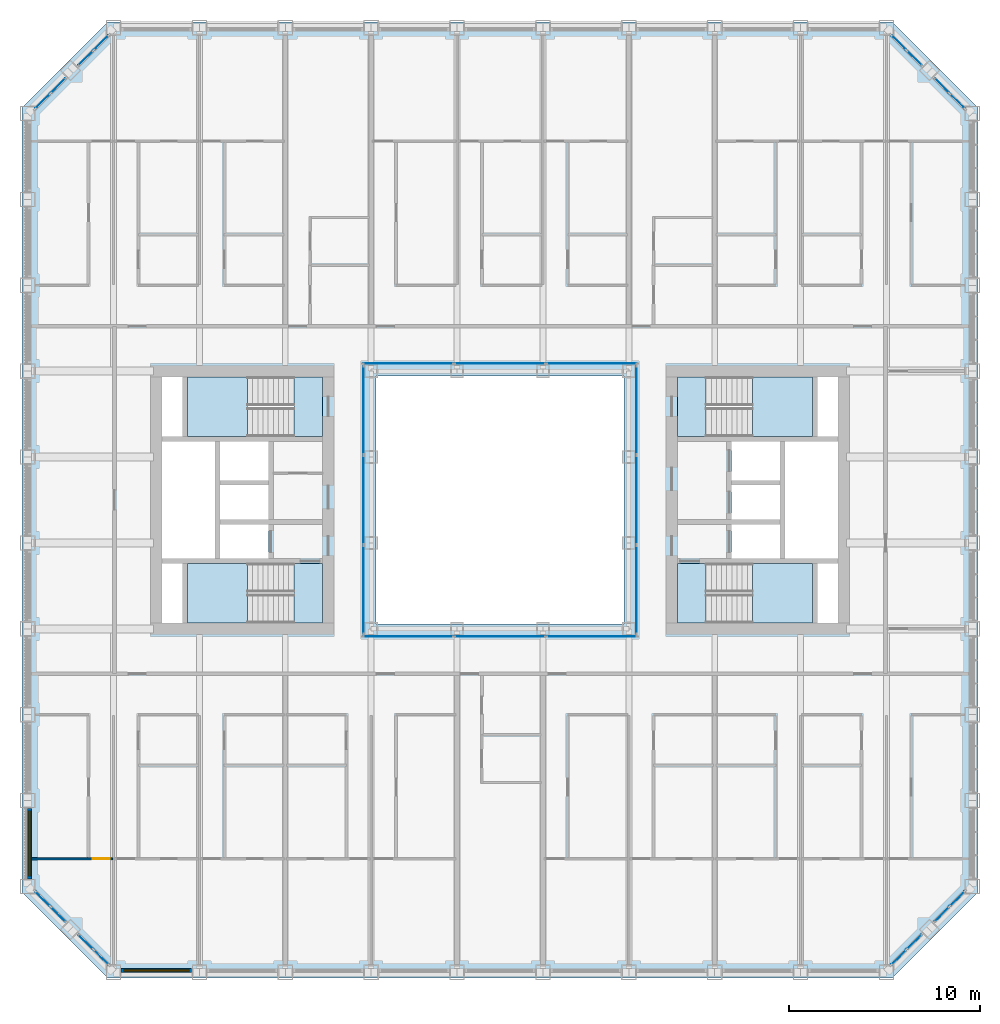
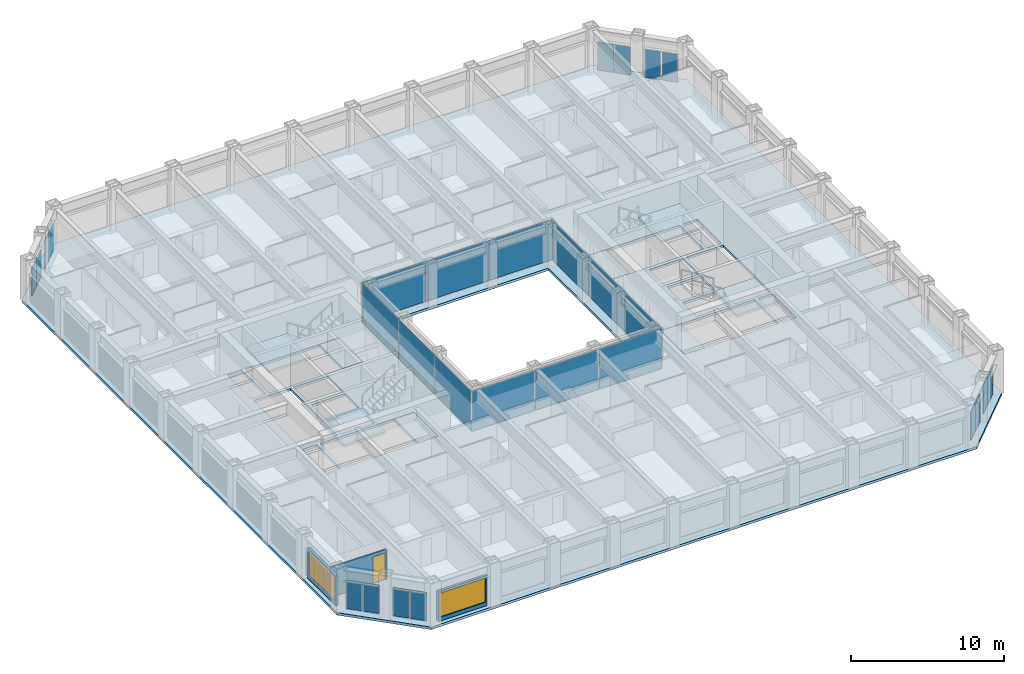
# One storey, part 8 of 20: 28 plates, 9 slabs, 3 walls, 2 windows, 1 door, 3 openings, 16 elements without a shape of their own.
"""IFC4 building model written with IfcOpenShell, lengths in metres."""

from ifc_helpers import new_model, si_unit, direction, frame, frame_2d, origin, origin_2d, place, context, subcontext, project, spatial, polyline, rectangle, outline, extrude, material, layer, layer_set, type_object, element, fill, aggregate, save


model = new_model("IFC4")

# Units and contexts
model_context = context("Model", 3, precision=1e-05, world=origin(), true_north=direction((0.0, 1.0)))
body_context = subcontext(model_context, "Body", "Model", "MODEL_VIEW")
ifc_project = project(units=[si_unit("LENGTHUNIT", "METRE"), si_unit("AREAUNIT", "SQUARE_METRE"), si_unit("VOLUMEUNIT", "CUBIC_METRE"), si_unit("PLANEANGLEUNIT", "RADIAN"), si_unit("MASSUNIT", "GRAM", prefix="KILO")], contexts=[model_context])

# Site, building, storey
site_placement = place(None, origin())
site = spatial("IfcSite", under=ifc_project, at=site_placement, CompositionType="ELEMENT")
building_placement = place(site_placement, origin())
building = spatial("IfcBuilding", under=site, at=building_placement, Name="Msasa Ring Tower", CompositionType="ELEMENT")
storey_placement = place(building_placement, frame((0.0, 0.0, 61.5)))
storey = spatial("IfcBuildingStorey", under=building, at=storey_placement, Name="L15", CompositionType="ELEMENT", Elevation=61.5)

# Curtain wall, plates
ifc_material_1 = material(Name="Aluminium curtain wall with clear glass", Category="aluminium")
curtain_wall_type_1 = type_object("IfcCurtainWallType", Name="CW-C CHAMFER CORNER CURTAIN WALL", PredefinedType="NOTDEFINED", material=ifc_material_1)
curtain_wall_1_placement = place(storey_placement, origin())
curtain_wall_1 = element("IfcCurtainWall", 1, at=curtain_wall_1_placement, inside=storey, type_object=curtain_wall_type_1, Name="Chamfer corner curtain wall SE L15", PredefinedType="NOTDEFINED")
ifc_material_2 = material(Name="Clear laminated insulating glass unit", Category="glass")
ifc_layer_1 = layer(ifc_material_2, 0.031982421875)
ifc_layer_set_1 = layer_set([ifc_layer_1], Name="CW-C GLASS PANEL 32")
plate_type_1 = type_object("IfcPlateType", Name="CW-C GLASS PANEL 32", PredefinedType="CURTAIN_PANEL", material=ifc_layer_set_1)
plate_1_placement = place(storey_placement, frame((20.896484375, -23.962158203125, 0.06494140625), z_axis=(0.0, 0.0, 1.0), x_axis=(0.707106781187, 0.707106781187, 0.0)))
plate_1 = element("IfcPlate", 2, at=plate_1_placement, type_object=plate_type_1, Name="CW-C panel 1.1", PredefinedType="CURTAIN_PANEL", context=body_context, shape_type="SweptSolid", body=[
    extrude(rectangle(XDim=1.08837890625, YDim=0.031982421875, at=origin_2d()), origin(), (0.0, 0.0, 1.0), 2.2490234375),
])
plate_2_placement = place(storey_placement, frame((21.712158203125, -23.146484375, 0.06494140625), z_axis=(0.0, 0.0, 1.0), x_axis=(0.707106781187, 0.707106781187, 0.0)))
plate_2 = element("IfcPlate", 3, at=plate_2_placement, type_object=plate_type_1, Name="CW-C panel 2.1", PredefinedType="CURTAIN_PANEL", context=body_context, shape_type="SweptSolid", body=[
    extrude(rectangle(XDim=1.08837890625, YDim=0.031982421875, at=origin_2d()), origin(), (0.0, 0.0, 1.0), 2.2490234375),
])
aggregate(curtain_wall_1, [plate_1, plate_2])

curtain_wall_2_placement = place(storey_placement, origin())
curtain_wall_2 = element("IfcCurtainWall", 4, at=curtain_wall_2_placement, inside=storey, type_object=curtain_wall_type_1, Name="Chamfer corner curtain wall SE L15", PredefinedType="NOTDEFINED")
plate_3_placement = place(storey_placement, frame((23.146484375, -21.712158203125, 0.06494140625), z_axis=(0.0, 0.0, 1.0), x_axis=(0.707106781187, 0.707106781187, 0.0)))
plate_3 = element("IfcPlate", 5, at=plate_3_placement, type_object=plate_type_1, Name="CW-C panel 1.1", PredefinedType="CURTAIN_PANEL", context=body_context, shape_type="SweptSolid", body=[
    extrude(rectangle(XDim=1.08837890625, YDim=0.031982421875, at=origin_2d()), origin(), (0.0, 0.0, 1.0), 2.2490234375),
])
plate_4_placement = place(storey_placement, frame((23.962158203125, -20.896484375, 0.06494140625), z_axis=(0.0, 0.0, 1.0), x_axis=(0.707106781187, 0.707106781187, 0.0)))
plate_4 = element("IfcPlate", 6, at=plate_4_placement, type_object=plate_type_1, Name="CW-C panel 2.1", PredefinedType="CURTAIN_PANEL", context=body_context, shape_type="SweptSolid", body=[
    extrude(rectangle(XDim=1.08837890625, YDim=0.031982421875, at=origin_2d()), origin(), (0.0, 0.0, 1.0), 2.2490234375),
])
aggregate(curtain_wall_2, [plate_3, plate_4])

curtain_wall_3_placement = place(storey_placement, origin())
curtain_wall_3 = element("IfcCurtainWall", 7, at=curtain_wall_3_placement, inside=storey, type_object=curtain_wall_type_1, Name="Chamfer corner curtain wall NE L15", PredefinedType="NOTDEFINED")
plate_5_placement = place(storey_placement, frame((21.712158203125, 23.146484375, 0.06494140625), z_axis=(0.0, 0.0, 1.0), x_axis=(-0.707106781187, 0.707106781187, 0.0)))
plate_5 = element("IfcPlate", 8, at=plate_5_placement, type_object=plate_type_1, Name="CW-C panel 1.1", PredefinedType="CURTAIN_PANEL", context=body_context, shape_type="SweptSolid", body=[
    extrude(rectangle(XDim=1.08837890625, YDim=0.031982421875, at=origin_2d()), origin(), (0.0, 0.0, 1.0), 2.2490234375),
])
plate_6_placement = place(storey_placement, frame((20.896484375, 23.962158203125, 0.06494140625), z_axis=(0.0, 0.0, 1.0), x_axis=(-0.707106781187, 0.707106781187, 0.0)))
plate_6 = element("IfcPlate", 9, at=plate_6_placement, type_object=plate_type_1, Name="CW-C panel 2.1", PredefinedType="CURTAIN_PANEL", context=body_context, shape_type="SweptSolid", body=[
    extrude(rectangle(XDim=1.08837890625, YDim=0.031982421875, at=origin_2d()), origin(), (0.0, 0.0, 1.0), 2.2490234375),
])
aggregate(curtain_wall_3, [plate_5, plate_6])

curtain_wall_4_placement = place(storey_placement, origin())
curtain_wall_4 = element("IfcCurtainWall", 10, at=curtain_wall_4_placement, inside=storey, type_object=curtain_wall_type_1, Name="Chamfer corner curtain wall NE L15", PredefinedType="NOTDEFINED")
plate_7_placement = place(storey_placement, frame((23.962158203125, 20.896484375, 0.06494140625), z_axis=(0.0, 0.0, 1.0), x_axis=(-0.707106781187, 0.707106781187, 0.0)))
plate_7 = element("IfcPlate", 11, at=plate_7_placement, type_object=plate_type_1, Name="CW-C panel 1.1", PredefinedType="CURTAIN_PANEL", context=body_context, shape_type="SweptSolid", body=[
    extrude(rectangle(XDim=1.08837890625, YDim=0.031982421875, at=origin_2d()), origin(), (0.0, 0.0, 1.0), 2.2490234375),
])
plate_8_placement = place(storey_placement, frame((23.146484375, 21.712158203125, 0.06494140625), z_axis=(0.0, 0.0, 1.0), x_axis=(-0.707106781187, 0.707106781187, 0.0)))
plate_8 = element("IfcPlate", 12, at=plate_8_placement, type_object=plate_type_1, Name="CW-C panel 2.1", PredefinedType="CURTAIN_PANEL", context=body_context, shape_type="SweptSolid", body=[
    extrude(rectangle(XDim=1.08837890625, YDim=0.031982421875, at=origin_2d()), origin(), (0.0, 0.0, 1.0), 2.2490234375),
])
aggregate(curtain_wall_4, [plate_7, plate_8])

curtain_wall_5_placement = place(storey_placement, origin())
curtain_wall_5 = element("IfcCurtainWall", 13, at=curtain_wall_5_placement, inside=storey, type_object=curtain_wall_type_1, Name="Chamfer corner curtain wall NW L15", PredefinedType="NOTDEFINED")
plate_9_placement = place(storey_placement, frame((-23.146484375, 21.712158203125, 0.06494140625), z_axis=(0.0, 0.0, 1.0), x_axis=(-0.707106781187, -0.707106781187, 0.0)))
plate_9 = element("IfcPlate", 14, at=plate_9_placement, type_object=plate_type_1, Name="CW-C panel 1.1", PredefinedType="CURTAIN_PANEL", context=body_context, shape_type="SweptSolid", body=[
    extrude(rectangle(XDim=1.08837890625, YDim=0.031982421875, at=origin_2d()), origin(), (0.0, 0.0, 1.0), 2.2490234375),
])
plate_10_placement = place(storey_placement, frame((-23.962158203125, 20.896484375, 0.06494140625), z_axis=(0.0, 0.0, 1.0), x_axis=(-0.707106781187, -0.707106781187, 0.0)))
plate_10 = element("IfcPlate", 15, at=plate_10_placement, type_object=plate_type_1, Name="CW-C panel 2.1", PredefinedType="CURTAIN_PANEL", context=body_context, shape_type="SweptSolid", body=[
    extrude(rectangle(XDim=1.08837890625, YDim=0.031982421875, at=origin_2d()), origin(), (0.0, 0.0, 1.0), 2.2490234375),
])
aggregate(curtain_wall_5, [plate_9, plate_10])

curtain_wall_6_placement = place(storey_placement, origin())
curtain_wall_6 = element("IfcCurtainWall", 16, at=curtain_wall_6_placement, inside=storey, type_object=curtain_wall_type_1, Name="Chamfer corner curtain wall NW L15", PredefinedType="NOTDEFINED")
plate_11_placement = place(storey_placement, frame((-20.896484375, 23.962158203125, 0.06494140625), z_axis=(0.0, 0.0, 1.0), x_axis=(-0.707106781187, -0.707106781187, 0.0)))
plate_11 = element("IfcPlate", 17, at=plate_11_placement, type_object=plate_type_1, Name="CW-C panel 1.1", PredefinedType="CURTAIN_PANEL", context=body_context, shape_type="SweptSolid", body=[
    extrude(rectangle(XDim=1.08837890625, YDim=0.031982421875, at=origin_2d()), origin(), (0.0, 0.0, 1.0), 2.2490234375),
])
plate_12_placement = place(storey_placement, frame((-21.712158203125, 23.146484375, 0.06494140625), z_axis=(0.0, 0.0, 1.0), x_axis=(-0.707106781187, -0.707106781187, 0.0)))
plate_12 = element("IfcPlate", 18, at=plate_12_placement, type_object=plate_type_1, Name="CW-C panel 2.1", PredefinedType="CURTAIN_PANEL", context=body_context, shape_type="SweptSolid", body=[
    extrude(rectangle(XDim=1.08837890625, YDim=0.031982421875, at=origin_2d()), origin(), (0.0, 0.0, 1.0), 2.2490234375),
])
aggregate(curtain_wall_6, [plate_11, plate_12])

curtain_wall_7_placement = place(storey_placement, origin())
curtain_wall_7 = element("IfcCurtainWall", 19, at=curtain_wall_7_placement, inside=storey, type_object=curtain_wall_type_1, Name="Chamfer corner curtain wall SW L15", PredefinedType="NOTDEFINED")
plate_13_placement = place(storey_placement, frame((-23.962158203125, -20.896484375, 0.06494140625), z_axis=(0.0, 0.0, 1.0), x_axis=(0.707106781187, -0.707106781187, 0.0)))
plate_13 = element("IfcPlate", 20, at=plate_13_placement, type_object=plate_type_1, Name="CW-C panel 1.1", PredefinedType="CURTAIN_PANEL", context=body_context, shape_type="SweptSolid", body=[
    extrude(rectangle(XDim=1.08837890625, YDim=0.031982421875, at=origin_2d()), origin(), (0.0, 0.0, 1.0), 2.2490234375),
])
plate_14_placement = place(storey_placement, frame((-23.146484375, -21.712158203125, 0.06494140625), z_axis=(0.0, 0.0, 1.0), x_axis=(0.707106781187, -0.707106781187, 0.0)))
plate_14 = element("IfcPlate", 21, at=plate_14_placement, type_object=plate_type_1, Name="CW-C panel 2.1", PredefinedType="CURTAIN_PANEL", context=body_context, shape_type="SweptSolid", body=[
    extrude(rectangle(XDim=1.08837890625, YDim=0.031982421875, at=origin_2d()), origin(), (0.0, 0.0, 1.0), 2.2490234375),
])
aggregate(curtain_wall_7, [plate_13, plate_14])

curtain_wall_8_placement = place(storey_placement, origin())
curtain_wall_8 = element("IfcCurtainWall", 22, at=curtain_wall_8_placement, inside=storey, type_object=curtain_wall_type_1, Name="Chamfer corner curtain wall SW L15", PredefinedType="NOTDEFINED")
plate_15_placement = place(storey_placement, frame((-21.712158203125, -23.146484375, 0.06494140625), z_axis=(0.0, 0.0, 1.0), x_axis=(0.707106781187, -0.707106781187, 0.0)))
plate_15 = element("IfcPlate", 23, at=plate_15_placement, type_object=plate_type_1, Name="CW-C panel 1.1", PredefinedType="CURTAIN_PANEL", context=body_context, shape_type="SweptSolid", body=[
    extrude(rectangle(XDim=1.08837890625, YDim=0.031982421875, at=origin_2d()), origin(), (0.0, 0.0, 1.0), 2.2490234375),
])
plate_16_placement = place(storey_placement, frame((-20.896484375, -23.962158203125, 0.06494140625), z_axis=(0.0, 0.0, 1.0), x_axis=(0.707106781187, -0.707106781187, 0.0)))
plate_16 = element("IfcPlate", 24, at=plate_16_placement, type_object=plate_type_1, Name="CW-C panel 2.1", PredefinedType="CURTAIN_PANEL", context=body_context, shape_type="SweptSolid", body=[
    extrude(rectangle(XDim=1.08837890625, YDim=0.031982421875, at=origin_2d()), origin(), (0.0, 0.0, 1.0), 2.2490234375),
])
aggregate(curtain_wall_8, [plate_15, plate_16])

ifc_material_3 = material(Name="Aluminium curtain wall with clear glass", Category="aluminium")
curtain_wall_type_2 = type_object("IfcCurtainWallType", Name="CW-W LIGHT WELL CURTAIN WALL", PredefinedType="NOTDEFINED", material=ifc_material_3)
curtain_wall_9_placement = place(storey_placement, origin())
curtain_wall_9 = element("IfcCurtainWall", 25, at=curtain_wall_9_placement, inside=storey, type_object=curtain_wall_type_2, Name="Light well curtain wall N L15", PredefinedType="NOTDEFINED")
ifc_material_4 = material(Name="Clear laminated insulating glass unit", Category="glass")
ifc_layer_2 = layer(ifc_material_4, 0.028076171875)
ifc_layer_set_2 = layer_set([ifc_layer_2], Name="CW-W GLASS PANEL 28")
plate_type_2 = type_object("IfcPlateType", Name="CW-W GLASS PANEL 28", PredefinedType="CURTAIN_PANEL", material=ifc_layer_set_2)
plate_17_placement = place(storey_placement, frame((-4.804931640625, 7.14990234375, 0.06005859375), z_axis=(0.0, 0.0, 1.0), x_axis=(1.0, 0.0, 0.0)))
plate_17 = element("IfcPlate", 26, at=plate_17_placement, type_object=plate_type_2, Name="CW-W panel 1.1", PredefinedType="CURTAIN_PANEL", context=body_context, shape_type="SweptSolid", body=[
    extrude(rectangle(XDim=4.72998046875, YDim=0.028076171875, at=origin_2d()), origin(), (0.0, 0.0, 1.0), 3.179931640625),
])
plate_18_placement = place(storey_placement, frame((0.0, 7.14990234375, 0.06005859375), z_axis=(0.0, 0.0, 1.0), x_axis=(1.0, 0.0, 0.0)))
plate_18 = element("IfcPlate", 27, at=plate_18_placement, type_object=plate_type_2, Name="CW-W panel 2.1", PredefinedType="CURTAIN_PANEL", context=body_context, shape_type="SweptSolid", body=[
    extrude(rectangle(XDim=4.760009765625, YDim=0.028076171875, at=origin_2d()), origin(), (0.0, 0.0, 1.0), 3.179931640625),
])
plate_19_placement = place(storey_placement, frame((4.804931640625, 7.14990234375, 0.06005859375), z_axis=(0.0, 0.0, 1.0), x_axis=(1.0, 0.0, 0.0)))
plate_19 = element("IfcPlate", 28, at=plate_19_placement, type_object=plate_type_2, Name="CW-W panel 3.1", PredefinedType="CURTAIN_PANEL", context=body_context, shape_type="SweptSolid", body=[
    extrude(rectangle(XDim=4.72998046875, YDim=0.028076171875, at=origin_2d()), origin(), (0.0, 0.0, 1.0), 3.179931640625),
])
aggregate(curtain_wall_9, [plate_17, plate_18, plate_19])

curtain_wall_10_placement = place(storey_placement, origin())
curtain_wall_10 = element("IfcCurtainWall", 29, at=curtain_wall_10_placement, inside=storey, type_object=curtain_wall_type_2, Name="Light well curtain wall S L15", PredefinedType="NOTDEFINED")
plate_20_placement = place(storey_placement, frame((-4.804931640625, -7.14990234375, 0.06005859375), z_axis=(0.0, 0.0, 1.0), x_axis=(1.0, 0.0, 0.0)))
plate_20 = element("IfcPlate", 30, at=plate_20_placement, type_object=plate_type_2, Name="CW-W panel 1.1", PredefinedType="CURTAIN_PANEL", context=body_context, shape_type="SweptSolid", body=[
    extrude(rectangle(XDim=4.72998046875, YDim=0.028076171875, at=origin_2d()), origin(), (0.0, 0.0, 1.0), 3.179931640625),
])
plate_21_placement = place(storey_placement, frame((0.0, -7.14990234375, 0.06005859375), z_axis=(0.0, 0.0, 1.0), x_axis=(1.0, 0.0, 0.0)))
plate_21 = element("IfcPlate", 31, at=plate_21_placement, type_object=plate_type_2, Name="CW-W panel 2.1", PredefinedType="CURTAIN_PANEL", context=body_context, shape_type="SweptSolid", body=[
    extrude(rectangle(XDim=4.760009765625, YDim=0.028076171875, at=origin_2d()), origin(), (0.0, 0.0, 1.0), 3.179931640625),
])
plate_22_placement = place(storey_placement, frame((4.804931640625, -7.14990234375, 0.06005859375), z_axis=(0.0, 0.0, 1.0), x_axis=(1.0, 0.0, 0.0)))
plate_22 = element("IfcPlate", 32, at=plate_22_placement, type_object=plate_type_2, Name="CW-W panel 3.1", PredefinedType="CURTAIN_PANEL", context=body_context, shape_type="SweptSolid", body=[
    extrude(rectangle(XDim=4.72998046875, YDim=0.028076171875, at=origin_2d()), origin(), (0.0, 0.0, 1.0), 3.179931640625),
])
aggregate(curtain_wall_10, [plate_20, plate_21, plate_22])

curtain_wall_11_placement = place(storey_placement, origin())
curtain_wall_11 = element("IfcCurtainWall", 33, at=curtain_wall_11_placement, inside=storey, type_object=curtain_wall_type_2, Name="Light well curtain wall E L15", PredefinedType="NOTDEFINED")
plate_23_placement = place(storey_placement, frame((7.14990234375, -4.6982421875, 0.06005859375), z_axis=(0.0, 0.0, 1.0), x_axis=(0.0, 1.0, 0.0)))
plate_23 = element("IfcPlate", 34, at=plate_23_placement, type_object=plate_type_2, Name="CW-W panel 1.1", PredefinedType="CURTAIN_PANEL", context=body_context, shape_type="SweptSolid", body=[
    extrude(rectangle(XDim=4.623291015625, YDim=0.028076171875, at=origin_2d()), origin(), (0.0, 0.0, 1.0), 3.179931640625),
])
plate_24_placement = place(storey_placement, frame((7.14990234375, 0.0, 0.06005859375), z_axis=(0.0, 0.0, 1.0), x_axis=(0.0, 1.0, 0.0)))
plate_24 = element("IfcPlate", 35, at=plate_24_placement, type_object=plate_type_2, Name="CW-W panel 2.1", PredefinedType="CURTAIN_PANEL", context=body_context, shape_type="SweptSolid", body=[
    extrude(rectangle(XDim=4.6533203125, YDim=0.028076171875, at=origin_2d()), origin(), (0.0, 0.0, 1.0), 3.179931640625),
])
plate_25_placement = place(storey_placement, frame((7.14990234375, 4.6982421875, 0.06005859375), z_axis=(0.0, 0.0, 1.0), x_axis=(0.0, 1.0, 0.0)))
plate_25 = element("IfcPlate", 36, at=plate_25_placement, type_object=plate_type_2, Name="CW-W panel 3.1", PredefinedType="CURTAIN_PANEL", context=body_context, shape_type="SweptSolid", body=[
    extrude(rectangle(XDim=4.623291015625, YDim=0.028076171875, at=origin_2d()), origin(), (0.0, 0.0, 1.0), 3.179931640625),
])
aggregate(curtain_wall_11, [plate_23, plate_24, plate_25])

curtain_wall_12_placement = place(storey_placement, origin())
curtain_wall_12 = element("IfcCurtainWall", 37, at=curtain_wall_12_placement, inside=storey, type_object=curtain_wall_type_2, Name="Light well curtain wall W L15", PredefinedType="NOTDEFINED")
plate_26_placement = place(storey_placement, frame((-7.14990234375, -4.6982421875, 0.06005859375), z_axis=(0.0, 0.0, 1.0), x_axis=(0.0, 1.0, 0.0)))
plate_26 = element("IfcPlate", 38, at=plate_26_placement, type_object=plate_type_2, Name="CW-W panel 1.1", PredefinedType="CURTAIN_PANEL", context=body_context, shape_type="SweptSolid", body=[
    extrude(rectangle(XDim=4.623291015625, YDim=0.028076171875, at=origin_2d()), origin(), (0.0, 0.0, 1.0), 3.179931640625),
])
plate_27_placement = place(storey_placement, frame((-7.14990234375, 0.0, 0.06005859375), z_axis=(0.0, 0.0, 1.0), x_axis=(0.0, 1.0, 0.0)))
plate_27 = element("IfcPlate", 39, at=plate_27_placement, type_object=plate_type_2, Name="CW-W panel 2.1", PredefinedType="CURTAIN_PANEL", context=body_context, shape_type="SweptSolid", body=[
    extrude(rectangle(XDim=4.6533203125, YDim=0.028076171875, at=origin_2d()), origin(), (0.0, 0.0, 1.0), 3.179931640625),
])
plate_28_placement = place(storey_placement, frame((-7.14990234375, 4.6982421875, 0.06005859375), z_axis=(0.0, 0.0, 1.0), x_axis=(0.0, 1.0, 0.0)))
plate_28 = element("IfcPlate", 40, at=plate_28_placement, type_object=plate_type_2, Name="CW-W panel 3.1", PredefinedType="CURTAIN_PANEL", context=body_context, shape_type="SweptSolid", body=[
    extrude(rectangle(XDim=4.623291015625, YDim=0.028076171875, at=origin_2d()), origin(), (0.0, 0.0, 1.0), 3.179931640625),
])
aggregate(curtain_wall_12, [plate_26, plate_27, plate_28])

# Stair, slabs
ifc_material_5 = material(Name="Concrete C40/50", Category="concrete")
stair_type = type_object("IfcStairType", Name="STC CORE STAIR 20 RISERS 175", PredefinedType="HALF_TURN_STAIR", material=ifc_material_5)
stair_1_placement = place(storey_placement, origin())
stair_1 = element("IfcStair", 41, at=stair_1_placement, inside=storey, type_object=stair_type, Name="Core stair SEA L15", PredefinedType="HALF_TURN_STAIR")
ifc_material_6 = material(Name="Concrete C40/50", Category="concrete")
ifc_layer_3 = layer(ifc_material_6, 0.199951171875)
ifc_layer_set_3 = layer_set([ifc_layer_3], Name="LD1 CORE STAIR LANDING 200")
slab_type_1 = type_object("IfcSlabType", Name="LD1 CORE STAIR LANDING 200", PredefinedType="LANDING", material=ifc_layer_set_3)
slab_1_placement = place(storey_placement, frame((0.0, 0.0, -0.199951171875)))
slab_1 = element("IfcSlab", 42, at=slab_1_placement, type_object=slab_type_1, Name="SEA landing 1", PredefinedType="LANDING", context=body_context, shape_type="SweptSolid", body=[
    extrude(outline(polyline([(9.300048828125, -6.449951171875), (10.800048828125, -6.449951171875), (10.800048828125, -3.324951171875), (9.300048828125, -3.324951171875), (9.300048828125, -6.449951171875)])), origin(), (0.0, 0.0, 1.0), 0.199951171875),
])
slab_2_placement = place(storey_placement, frame((0.0, 0.0, 1.550048828125)))
slab_2 = element("IfcSlab", 43, at=slab_2_placement, type_object=slab_type_1, Name="SEA landing 2", PredefinedType="LANDING", context=body_context, shape_type="SweptSolid", body=[
    extrude(outline(polyline([(13.22998046875, -6.449951171875), (16.375, -6.449951171875), (16.375, -3.324951171875), (13.22998046875, -3.324951171875), (13.22998046875, -6.449951171875)])), origin(), (0.0, 0.0, 1.0), 0.199951171875),
])
aggregate(stair_1, [slab_1, slab_2])

stair_2_placement = place(storey_placement, origin())
stair_2 = element("IfcStair", 44, at=stair_2_placement, inside=storey, type_object=stair_type, Name="Core stair SEB L15", PredefinedType="HALF_TURN_STAIR")
slab_3_placement = place(storey_placement, frame((0.0, 0.0, -0.199951171875)))
slab_3 = element("IfcSlab", 45, at=slab_3_placement, type_object=slab_type_1, Name="SEB landing 1", PredefinedType="LANDING", context=body_context, shape_type="SweptSolid", body=[
    extrude(outline(polyline([(9.300048828125, 3.324951171875), (10.800048828125, 3.324951171875), (10.800048828125, 6.449951171875), (9.300048828125, 6.449951171875), (9.300048828125, 3.324951171875)])), origin(), (0.0, 0.0, 1.0), 0.199951171875),
])
slab_4_placement = place(storey_placement, frame((0.0, 0.0, 1.550048828125)))
slab_4 = element("IfcSlab", 46, at=slab_4_placement, type_object=slab_type_1, Name="SEB landing 2", PredefinedType="LANDING", context=body_context, shape_type="SweptSolid", body=[
    extrude(outline(polyline([(13.22998046875, 3.324951171875), (16.375, 3.324951171875), (16.375, 6.449951171875), (13.22998046875, 6.449951171875), (13.22998046875, 3.324951171875)])), origin(), (0.0, 0.0, 1.0), 0.199951171875),
])
aggregate(stair_2, [slab_3, slab_4])

stair_3_placement = place(storey_placement, origin())
stair_3 = element("IfcStair", 47, at=stair_3_placement, inside=storey, type_object=stair_type, Name="Core stair SWA L15", PredefinedType="HALF_TURN_STAIR")
slab_5_placement = place(storey_placement, frame((0.0, 0.0, -0.199951171875)))
slab_5 = element("IfcSlab", 48, at=slab_5_placement, type_object=slab_type_1, Name="SWA landing 1", PredefinedType="LANDING", context=body_context, shape_type="SweptSolid", body=[
    extrude(outline(polyline([(-10.800048828125, -6.449951171875), (-9.300048828125, -6.449951171875), (-9.300048828125, -3.324951171875), (-10.800048828125, -3.324951171875), (-10.800048828125, -6.449951171875)])), origin(), (0.0, 0.0, 1.0), 0.199951171875),
])
slab_6_placement = place(storey_placement, frame((0.0, 0.0, 1.550048828125)))
slab_6 = element("IfcSlab", 49, at=slab_6_placement, type_object=slab_type_1, Name="SWA landing 2", PredefinedType="LANDING", context=body_context, shape_type="SweptSolid", body=[
    extrude(outline(polyline([(-16.375, -6.449951171875), (-13.22998046875, -6.449951171875), (-13.22998046875, -3.324951171875), (-16.375, -3.324951171875), (-16.375, -6.449951171875)])), origin(), (0.0, 0.0, 1.0), 0.199951171875),
])
aggregate(stair_3, [slab_5, slab_6])

stair_4_placement = place(storey_placement, origin())
stair_4 = element("IfcStair", 50, at=stair_4_placement, inside=storey, type_object=stair_type, Name="Core stair SWB L15", PredefinedType="HALF_TURN_STAIR")
slab_7_placement = place(storey_placement, frame((0.0, 0.0, -0.199951171875)))
slab_7 = element("IfcSlab", 51, at=slab_7_placement, type_object=slab_type_1, Name="SWB landing 1", PredefinedType="LANDING", context=body_context, shape_type="SweptSolid", body=[
    extrude(outline(polyline([(-10.800048828125, 3.324951171875), (-9.300048828125, 3.324951171875), (-9.300048828125, 6.449951171875), (-10.800048828125, 6.449951171875), (-10.800048828125, 3.324951171875)])), origin(), (0.0, 0.0, 1.0), 0.199951171875),
])
slab_8_placement = place(storey_placement, frame((0.0, 0.0, 1.550048828125)))
slab_8 = element("IfcSlab", 52, at=slab_8_placement, type_object=slab_type_1, Name="SWB landing 2", PredefinedType="LANDING", context=body_context, shape_type="SweptSolid", body=[
    extrude(outline(polyline([(-16.375, 3.324951171875), (-13.22998046875, 3.324951171875), (-13.22998046875, 6.449951171875), (-16.375, 6.449951171875), (-16.375, 3.324951171875)])), origin(), (0.0, 0.0, 1.0), 0.199951171875),
])
aggregate(stair_4, [slab_7, slab_8])

# Slab
ifc_material_7 = material(Name="Concrete C40/50", Category="concrete")
ifc_layer_4 = layer(ifc_material_7, 0.199951171875)
ifc_layer_set_4 = layer_set([ifc_layer_4], Name="S3 RESIDENCE FLOOR 200")
slab_type_2 = type_object("IfcSlabType", Name="S3 RESIDENCE FLOOR 200", PredefinedType="FLOOR", material=ifc_layer_set_4)
slab_9_placement = place(storey_placement, frame((0.0, 0.0, -0.199951171875)))
element("IfcSlab", 53, at=slab_9_placement, inside=storey, type_object=slab_type_2, Name="Floor slab L15", PredefinedType="FLOOR", context=body_context, shape_type="SweptSolid", body=[
    extrude(outline(polyline([(-20.550048828125, -25.050048828125), (20.550048828125, -25.050048828125), (25.050048828125, -20.550048828125), (25.050048828125, 20.550048828125), (20.550048828125, 25.050048828125), (-20.550048828125, 25.050048828125), (-25.050048828125, 20.550048828125), (-25.050048828125, -20.550048828125), (-20.550048828125, -25.050048828125)]), holes=[polyline([(-6.5, -6.5), (6.5, -6.5), (6.5, 6.5), (-6.5, 6.5), (-6.5, -6.5)]), polyline([(9.300048828125, -6.449951171875), (16.375, -6.449951171875), (16.375, -3.324951171875), (9.300048828125, -3.324951171875), (9.300048828125, -6.449951171875)]), polyline([(9.300048828125, 3.324951171875), (16.375, 3.324951171875), (16.375, 6.449951171875), (9.300048828125, 6.449951171875), (9.300048828125, 3.324951171875)]), polyline([(12.125, -3.074951171875), (14.675048828125, -3.074951171875), (14.675048828125, -1.27490234375), (12.125, -1.27490234375), (12.125, -3.074951171875)]), polyline([(12.125, -1.02490234375), (14.675048828125, -1.02490234375), (14.675048828125, 0.77490234375), (12.125, 0.77490234375), (12.125, -1.02490234375)]), polyline([(12.125, 1.02490234375), (14.675048828125, 1.02490234375), (14.675048828125, 3.074951171875), (12.125, 3.074951171875), (12.125, 1.02490234375)]), polyline([(16.625, -6.449951171875), (17.699951171875, -6.449951171875), (17.699951171875, -3.324951171875), (16.625, -3.324951171875), (16.625, -6.449951171875)]), polyline([(16.625, 3.324951171875), (17.699951171875, 3.324951171875), (17.699951171875, 6.449951171875), (16.625, 6.449951171875), (16.625, 3.324951171875)]), polyline([(14.925048828125, -3.074951171875), (17.699951171875, -3.074951171875), (17.699951171875, 3.074951171875), (14.925048828125, 3.074951171875), (14.925048828125, -3.074951171875)]), polyline([(-16.375, -6.449951171875), (-9.300048828125, -6.449951171875), (-9.300048828125, -3.324951171875), (-16.375, -3.324951171875), (-16.375, -6.449951171875)]), polyline([(-16.375, 3.324951171875), (-9.300048828125, 3.324951171875), (-9.300048828125, 6.449951171875), (-16.375, 6.449951171875), (-16.375, 3.324951171875)]), polyline([(-14.675048828125, -3.074951171875), (-12.125, -3.074951171875), (-12.125, -1.27490234375), (-14.675048828125, -1.27490234375), (-14.675048828125, -3.074951171875)]), polyline([(-14.675048828125, -1.02490234375), (-12.125, -1.02490234375), (-12.125, 0.77490234375), (-14.675048828125, 0.77490234375), (-14.675048828125, -1.02490234375)]), polyline([(-14.675048828125, 1.02490234375), (-12.125, 1.02490234375), (-12.125, 3.074951171875), (-14.675048828125, 3.074951171875), (-14.675048828125, 1.02490234375)]), polyline([(-17.699951171875, -6.449951171875), (-16.625, -6.449951171875), (-16.625, -3.324951171875), (-17.699951171875, -3.324951171875), (-17.699951171875, -6.449951171875)]), polyline([(-17.699951171875, 3.324951171875), (-16.625, 3.324951171875), (-16.625, 6.449951171875), (-17.699951171875, 6.449951171875), (-17.699951171875, 3.324951171875)]), polyline([(-17.699951171875, -3.074951171875), (-14.925048828125, -3.074951171875), (-14.925048828125, 3.074951171875), (-17.699951171875, 3.074951171875), (-17.699951171875, -3.074951171875)])]), origin(), (0.0, 0.0, 1.0), 0.199951171875),
])

# Wall, opening, window
ifc_material_8 = material(Name="Terracotta rainscreen on blockwork", Category="masonry")
ifc_layer_5 = layer(ifc_material_8, 0.199951171875)
ifc_layer_set_5 = layer_set([ifc_layer_5], Name="FW1 TERRACOTTA-LINED INFILL BAY WALL 200")
wall_type_1 = type_object("IfcWallType", Name="FW1 TERRACOTTA-LINED INFILL BAY WALL 200", PredefinedType="SOLIDWALL", material=ifc_layer_set_5)
wall_1_placement = place(storey_placement, frame((-19.844970703125, -24.64990234375, 0.0), z_axis=(0.0, 0.0, 1.0), x_axis=(1.0, 0.0, 0.0)))
wall_1 = element("IfcWall", 54, at=wall_1_placement, inside=storey, type_object=wall_type_1, Name="Infill bay wall S L15 00", PredefinedType="SOLIDWALL", context=body_context, shape_type="SweptSolid", body=[
    extrude(rectangle(XDim=3.68994140625, YDim=0.199951171875, at=frame_2d((1.844970703125, 0.0))), origin(), (0.0, 0.0, 1.0), 2.37890625),
])
opening_1_placement = place(wall_1_placement, frame((0.14501953125, 0.0, 0.300048828125)))
opening_1 = element("IfcOpeningElement", 55, at=opening_1_placement, cuts=wall_1, Name="Opening WN1", PredefinedType="OPENING", context=body_context, shape_type="SweptSolid", body=[
    extrude(rectangle(XDim=3.39990234375, YDim=1.928955078125, at=frame_2d((1.699951171875, 0.96435546875))), frame((0.0, 0.10986328125, 0.0), z_axis=(0.0, -1.0, 0.0), x_axis=(1.0, 0.0, 0.0)), (0.0, 0.0, 1.0), 0.219970703125),
])
ifc_material_9 = material(Name="Aluminium frame with clear glass", Category="aluminium")
window_type = type_object("IfcWindowType", Name="WN1 RESIDENCE WINDOW 3400x1929", PartitioningType="SINGLE_PANEL", PredefinedType="WINDOW", material=ifc_material_9)
window_1_placement = place(opening_1_placement, origin())
window_1 = element("IfcWindow", 56, at=window_1_placement, inside=storey, type_object=window_type, Name="Window S L15 00", OverallHeight=1.928955078125, OverallWidth=3.39990234375, PartitioningType="SINGLE_PANEL", PredefinedType="WINDOW", context=body_context, shape_type="SweptSolid", body=[
    extrude(rectangle(XDim=3.39990234375, YDim=1.928955078125, at=frame_2d((1.699951171875, 0.96435546875))), frame((0.0, 0.030029296875, 0.0), z_axis=(0.0, -1.0, 0.0), x_axis=(1.0, 0.0, 0.0)), (0.0, 0.0, 1.0), 0.06005859375),
])
fill(opening_1, window_1)

wall_2_placement = place(storey_placement, frame((-24.64990234375, -19.844970703125, 0.0), z_axis=(0.0, 0.0, 1.0), x_axis=(0.0, 1.0, 0.0)))
wall_2 = element("IfcWall", 57, at=wall_2_placement, inside=storey, type_object=wall_type_1, Name="Infill bay wall W L15 33", PredefinedType="SOLIDWALL", context=body_context, shape_type="SweptSolid", body=[
    extrude(rectangle(XDim=3.68994140625, YDim=0.199951171875, at=frame_2d((1.844970703125, 0.0))), origin(), (0.0, 0.0, 1.0), 2.37890625),
])
opening_2_placement = place(wall_2_placement, frame((0.14501953125, 0.0, 0.300048828125)))
opening_2 = element("IfcOpeningElement", 58, at=opening_2_placement, cuts=wall_2, Name="Opening WN1", PredefinedType="OPENING", context=body_context, shape_type="SweptSolid", body=[
    extrude(rectangle(XDim=3.39990234375, YDim=1.928955078125, at=frame_2d((1.699951171875, 0.96435546875))), frame((0.0, 0.10986328125, 0.0), z_axis=(0.0, -1.0, 0.0), x_axis=(1.0, 0.0, 0.0)), (0.0, 0.0, 1.0), 0.219970703125),
])
window_2_placement = place(opening_2_placement, origin())
window_2 = element("IfcWindow", 59, at=window_2_placement, inside=storey, type_object=window_type, Name="Window W L15 33", OverallHeight=1.928955078125, OverallWidth=3.39990234375, PartitioningType="SINGLE_PANEL", PredefinedType="WINDOW", context=body_context, shape_type="SweptSolid", body=[
    extrude(rectangle(XDim=3.39990234375, YDim=1.928955078125, at=frame_2d((1.699951171875, 0.96435546875))), frame((0.0, 0.030029296875, 0.0), z_axis=(0.0, -1.0, 0.0), x_axis=(1.0, 0.0, 0.0)), (0.0, 0.0, 1.0), 0.06005859375),
])
fill(opening_2, window_2)

# Wall, opening, door
ifc_material_10 = material(Name="Gypsum board on steel studs", Category="steel")
ifc_layer_6 = layer(ifc_material_10, 0.10009765625)
ifc_layer_set_6 = layer_set([ifc_layer_6], Name="PT2 STUD PARTITION 100")
wall_type_2 = type_object("IfcWallType", Name="PT2 STUD PARTITION 100", PredefinedType="PARTITIONING", material=ifc_layer_set_6)
wall_3_placement = place(storey_placement, frame((-24.550048828125, -18.800048828125, 0.0), z_axis=(0.0, 0.0, 1.0), x_axis=(1.0, 0.0, 0.0)))
wall_3 = element("IfcWall", 60, at=wall_3_placement, inside=storey, type_object=wall_type_2, Name="Partition L15-US00SY0", PredefinedType="PARTITIONING", context=body_context, shape_type="SweptSolid", body=[
    extrude(rectangle(XDim=4.25, YDim=0.10009765625, at=frame_2d((2.125, 0.0))), origin(), (0.0, 0.0, 1.0), 2.373291015625),
])
opening_3_placement = place(wall_3_placement, frame((3.199951171875, 0.0, 0.0)))
opening_3 = element("IfcOpeningElement", 61, at=opening_3_placement, cuts=wall_3, Name="Opening RD-064", PredefinedType="OPENING", context=body_context, shape_type="SweptSolid", body=[
    extrude(rectangle(XDim=0.89990234375, YDim=2.10009765625, at=frame_2d((0.449951171875, 1.050048828125))), frame((0.0, 0.06005859375, 0.0), z_axis=(0.0, -1.0, 0.0), x_axis=(1.0, 0.0, 0.0)), (0.0, 0.0, 1.0), 0.1201171875),
])
ifc_material_11 = material(Name="Timber door leaf in a steel frame", Category="steel")
door_type = type_object("IfcDoorType", Name="D22 INTERNAL HALL DOOR 900x2100", OperationType="SINGLE_SWING_LEFT", PredefinedType="DOOR", material=ifc_material_11)
door_placement = place(opening_3_placement, origin())
door = element("IfcDoor", 62, at=door_placement, inside=storey, type_object=door_type, Name="Door L15-US00L", OperationType="SINGLE_SWING_RIGHT", OverallHeight=2.10009765625, OverallWidth=0.89990234375, PredefinedType="DOOR", context=body_context, shape_type="SweptSolid", body=[
    extrude(rectangle(XDim=0.89990234375, YDim=2.10009765625, at=frame_2d((0.449951171875, 1.050048828125))), frame((0.0, 0.02490234375, 0.0), z_axis=(0.0, -1.0, 0.0), x_axis=(1.0, 0.0, 0.0)), (0.0, 0.0, 1.0), 0.050048828125),
])
fill(opening_3, door)

save(model, "model.ifc")
